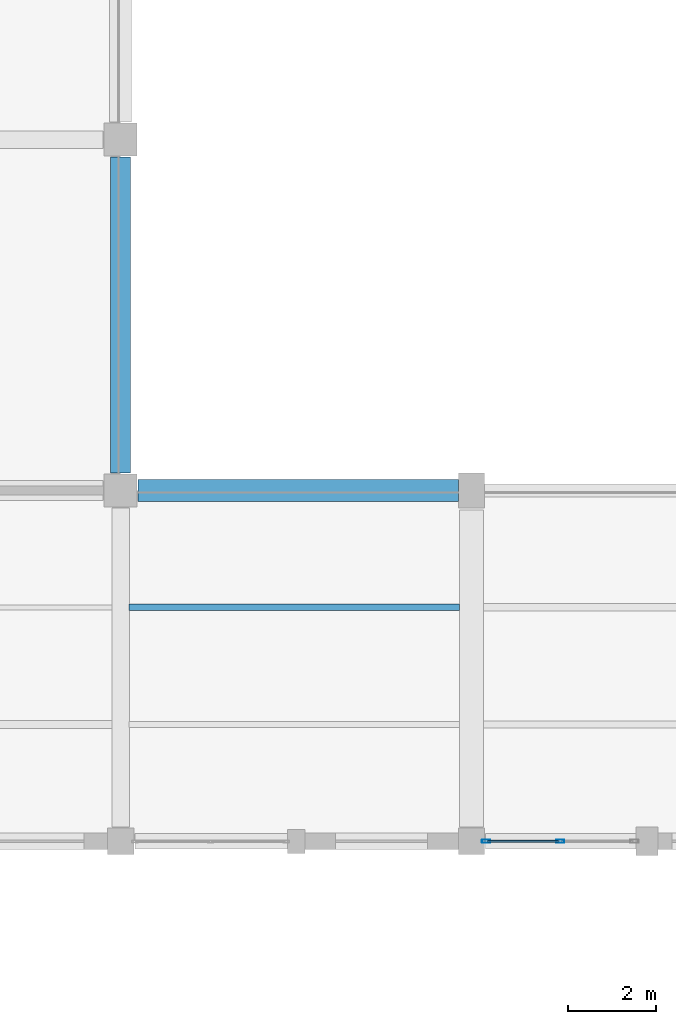
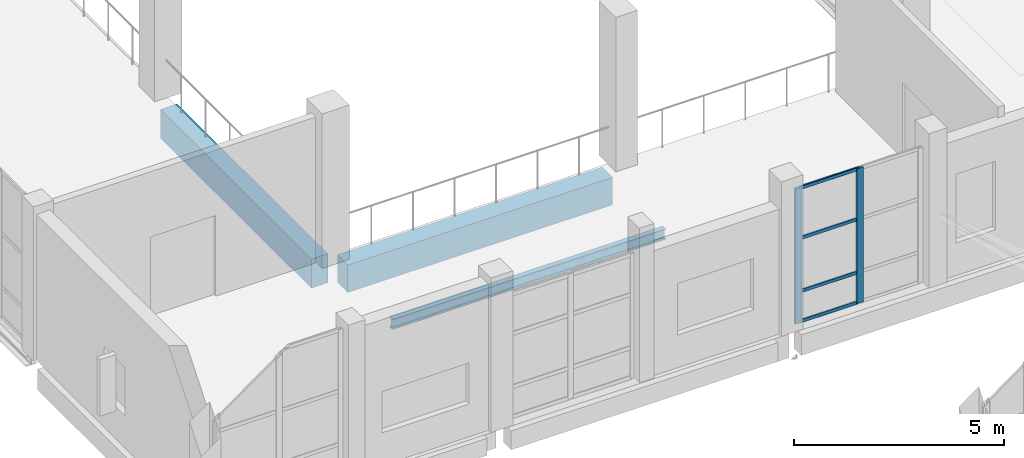
# One storey, part 95 of 183: 6 members, 3 beams, 1 element without a shape of its own.
"""IFC4 building model written with IfcOpenShell, lengths in metres."""

from ifc_helpers import new_model, si_unit, direction, frame, origin, origin_2d, place, context, subcontext, project, spatial, rectangle, hollow_rectangle, i_section, extrude, material, material_profile, profile_set, type_object, element, aggregate, save


model = new_model("IFC4")

# Units and contexts
model_context = context("Model", 3, precision=1e-05, world=origin(), true_north=direction((0.0, 1.0)))
body_context = subcontext(model_context, "Body", "Model", "MODEL_VIEW")
ifc_project = project(units=[si_unit("LENGTHUNIT", "METRE"), si_unit("AREAUNIT", "SQUARE_METRE"), si_unit("VOLUMEUNIT", "CUBIC_METRE"), si_unit("PLANEANGLEUNIT", "RADIAN"), si_unit("MASSUNIT", "GRAM", prefix="KILO")], contexts=[model_context])

# Site, building, storey
site_placement = place(None, origin())
site = spatial("IfcSite", under=ifc_project, at=site_placement, CompositionType="ELEMENT")
building_placement = place(site_placement, origin())
building = spatial("IfcBuilding", under=site, at=building_placement, Name="Luwemba Playhouse", CompositionType="ELEMENT")
storey_placement = place(building_placement, frame((0.0, 0.0, 4.800048828125)))
storey = spatial("IfcBuildingStorey", under=building, at=storey_placement, Name="L01", CompositionType="ELEMENT", Elevation=4.800048828125)

# Beams
ifc_material_1 = material(Name="Concrete C40/50", Category="concrete")
ifc_material_profile_1 = material_profile(ifc_material_1, rectangle(XDim=0.449951171875, YDim=0.85009765625, at=origin_2d()))
ifc_profile_set_1 = profile_set([ifc_material_profile_1], Name="Concrete C40/50")
beam_type_1 = type_object("IfcBeamType", Name="BM-RB05", PredefinedType="BEAM", material=ifc_profile_set_1)
beam_1_placement = place(storey_placement, frame((140.0, 44.39990234375, -0.675048828125), z_axis=(0.0, 1.0, 0.0), x_axis=(-1.0, 0.0, 0.0)))
element("IfcBeam", 1, at=beam_1_placement, inside=storey, type_object=beam_type_1, Name="L01 transverse girder 0425", PredefinedType="BEAM", context=body_context, shape_type="SweptSolid", body=[
    extrude(rectangle(XDim=0.449951171875, YDim=0.85009765625, at=origin_2d()), origin(), (0.0, 0.0, 1.0), 7.2001953125),
])
ifc_material_profile_2 = material_profile(ifc_material_1, rectangle(XDim=0.5, YDim=0.800048828125, at=origin_2d()))
ifc_profile_set_2 = profile_set([ifc_material_profile_2], Name="Concrete C40/50")
beam_type_2 = type_object("IfcBeamType", Name="BM-RB06", PredefinedType="BEAM", material=ifc_profile_set_2)
beam_2_placement = place(storey_placement, frame((140.39990234375, 44.0, -0.650146484375), z_axis=(1.0, 0.0, 0.0), x_axis=(0.0, 1.0, 0.0)))
element("IfcBeam", 2, at=beam_2_placement, inside=storey, type_object=beam_type_2, Name="L01 grid girder 0410", PredefinedType="BEAM", context=body_context, shape_type="SweptSolid", body=[
    extrude(rectangle(XDim=0.5, YDim=0.800048828125, at=origin_2d()), origin(), (0.0, 0.0, 1.0), 7.300048828125),
])
ifc_material_2 = material(Name="Steel S355", Category="steel")
ifc_material_profile_3 = material_profile(ifc_material_2, i_section(OverallWidth=0.14990234375, OverallDepth=0.300048828125, WebThickness=0.007080078125, FlangeThickness=0.0107421875, FilletRadius=0.014892578125, at=origin_2d()))
ifc_profile_set_3 = profile_set([ifc_material_profile_3], Name="Steel S355")
beam_type_3 = type_object("IfcBeamType", Name="BM-SJ05", PredefinedType="JOIST", material=ifc_profile_set_3)
beam_3_placement = place(storey_placement, frame((140.196044921875, 41.333251953125, -0.400146484375), z_axis=(1.0, 0.0, 0.0), x_axis=(0.0, 1.0, 0.0)))
element("IfcBeam", 3, at=beam_3_placement, inside=storey, type_object=beam_type_3, Name="L01 composite floor joist 0258", PredefinedType="JOIST", context=body_context, shape_type="SweptSolid", body=[
    extrude(i_section(OverallWidth=0.14990234375, OverallDepth=0.300048828125, WebThickness=0.007080078125, FlangeThickness=0.0107421875, FilletRadius=0.014892578125, at=origin_2d()), origin(), (0.0, 0.0, 1.0), 7.532958984375),
])

# Curtain wall, members
ifc_material_3 = material(Name="Solar-control double glazing", Category="glass")
curtain_wall_type = type_object("IfcCurtainWallType", Name="CW-CW63", PredefinedType="USERDEFINED", material=ifc_material_3)
curtain_wall_placement = place(storey_placement, origin())
curtain_wall = element("IfcCurtainWall", 4, at=curtain_wall_placement, inside=storey, type_object=curtain_wall_type, Name="L01 V3 unitised curtain wall 109", ObjectType="UNITISED GLAZING", PredefinedType="USERDEFINED")
ifc_material_4 = material(Name="Aluminium 6063-T6", Category="aluminium")
ifc_material_profile_4 = material_profile(ifc_material_4, hollow_rectangle(XDim=0.070068359375, YDim=0.18994140625, WallThickness=0.0048828125, InnerFilletRadius=0.007568359375, OuterFilletRadius=0.012451171875, at=origin_2d()))
ifc_profile_set_4 = profile_set([ifc_material_profile_4], Name="Aluminium 6063-T6")
member_type_1 = type_object("IfcMemberType", Name="CWM-M4", PredefinedType="MULLION", material=ifc_profile_set_4)
member_1_placement = place(storey_placement, frame((150.02490234375, 36.0, 0.0), z_axis=(0.0, 0.0, 1.0), x_axis=(0.0, -1.0, 0.0)))
member_1 = element("IfcMember", 5, at=member_1_placement, type_object=member_type_1, Name="CW63 mullion 2", PredefinedType="MULLION", context=body_context, shape_type="SweptSolid", body=[
    extrude(hollow_rectangle(XDim=0.070068359375, YDim=0.18994140625, WallThickness=0.0048828125, InnerFilletRadius=0.007568359375, OuterFilletRadius=0.012451171875, at=origin_2d()), origin(), (0.0, 0.0, 1.0), 3.93505859375),
])
member_2_placement = place(storey_placement, frame((148.3349609375, 36.0, 0.0), z_axis=(0.0, 0.0, 1.0), x_axis=(0.0, -1.0, 0.0)))
member_2 = element("IfcMember", 6, at=member_2_placement, type_object=member_type_1, Name="CW63 mullion 3", PredefinedType="MULLION", context=body_context, shape_type="SweptSolid", body=[
    extrude(hollow_rectangle(XDim=0.070068359375, YDim=0.18994140625, WallThickness=0.0048828125, InnerFilletRadius=0.007568359375, OuterFilletRadius=0.012451171875, at=origin_2d()), origin(), (0.0, 0.0, 1.0), 3.93505859375),
])
ifc_material_profile_5 = material_profile(ifc_material_4, hollow_rectangle(XDim=0.050048828125, YDim=0.10009765625, WallThickness=0.00341796875, InnerFilletRadius=0.00537109375, OuterFilletRadius=0.0087890625, at=origin_2d()))
ifc_profile_set_5 = profile_set([ifc_material_profile_5], Name="Aluminium 6063-T6")
member_type_2 = type_object("IfcMemberType", Name="CWT-T4", PredefinedType="USERDEFINED", material=ifc_profile_set_5)
member_3_placement = place(storey_placement, frame((149.989990234375, 36.0, 0.02490234375), z_axis=(-1.0, 0.0, 0.0), x_axis=(0.0, -1.0, 0.0)))
member_3 = element("IfcMember", 7, at=member_3_placement, type_object=member_type_2, Name="CW63 transom 2.1", ObjectType="TRANSOM", PredefinedType="USERDEFINED", context=body_context, shape_type="SweptSolid", body=[
    extrude(hollow_rectangle(XDim=0.050048828125, YDim=0.10009765625, WallThickness=0.00341796875, InnerFilletRadius=0.00537109375, OuterFilletRadius=0.0087890625, at=origin_2d()), origin(), (0.0, 0.0, 1.0), 1.619873046875),
])
member_4_placement = place(storey_placement, frame((149.989990234375, 36.0, 0.89990234375), z_axis=(-1.0, 0.0, 0.0), x_axis=(0.0, -1.0, 0.0)))
member_4 = element("IfcMember", 8, at=member_4_placement, type_object=member_type_2, Name="CW63 transom 2.2", ObjectType="TRANSOM", PredefinedType="USERDEFINED", context=body_context, shape_type="SweptSolid", body=[
    extrude(hollow_rectangle(XDim=0.050048828125, YDim=0.10009765625, WallThickness=0.00341796875, InnerFilletRadius=0.00537109375, OuterFilletRadius=0.0087890625, at=origin_2d()), origin(), (0.0, 0.0, 1.0), 1.619873046875),
])
member_5_placement = place(storey_placement, frame((149.989990234375, 36.0, 2.449951171875), z_axis=(-1.0, 0.0, 0.0), x_axis=(0.0, -1.0, 0.0)))
member_5 = element("IfcMember", 9, at=member_5_placement, type_object=member_type_2, Name="CW63 transom 2.3", ObjectType="TRANSOM", PredefinedType="USERDEFINED", context=body_context, shape_type="SweptSolid", body=[
    extrude(hollow_rectangle(XDim=0.050048828125, YDim=0.10009765625, WallThickness=0.00341796875, InnerFilletRadius=0.00537109375, OuterFilletRadius=0.0087890625, at=origin_2d()), origin(), (0.0, 0.0, 1.0), 1.619873046875),
])
member_6_placement = place(storey_placement, frame((149.989990234375, 36.0, 3.909912109375), z_axis=(-1.0, 0.0, 0.0), x_axis=(0.0, -1.0, 0.0)))
member_6 = element("IfcMember", 10, at=member_6_placement, type_object=member_type_2, Name="CW63 transom 2.4", ObjectType="TRANSOM", PredefinedType="USERDEFINED", context=body_context, shape_type="SweptSolid", body=[
    extrude(hollow_rectangle(XDim=0.050048828125, YDim=0.10009765625, WallThickness=0.00341796875, InnerFilletRadius=0.00537109375, OuterFilletRadius=0.0087890625, at=origin_2d()), origin(), (0.0, 0.0, 1.0), 1.619873046875),
])
aggregate(curtain_wall, [member_1, member_2, member_3, member_4, member_5, member_6])

save(model, "model.ifc")
